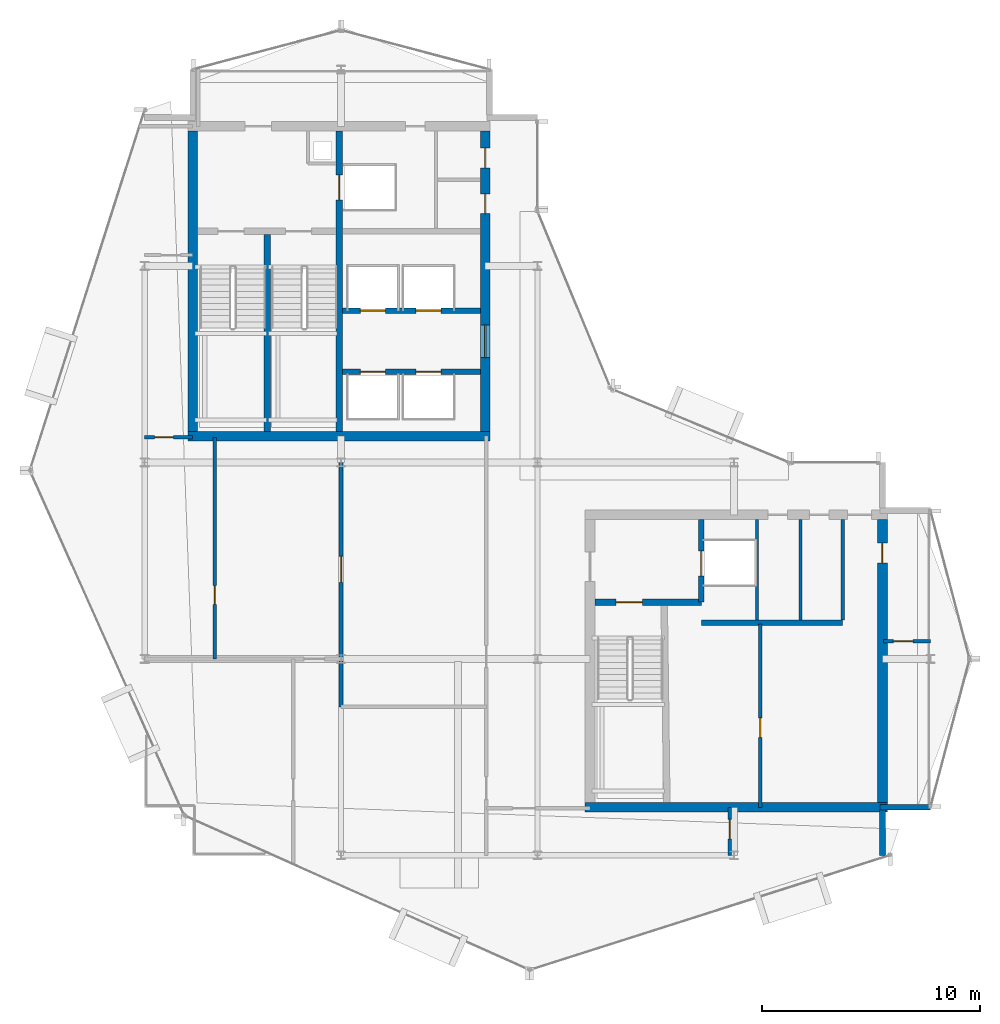
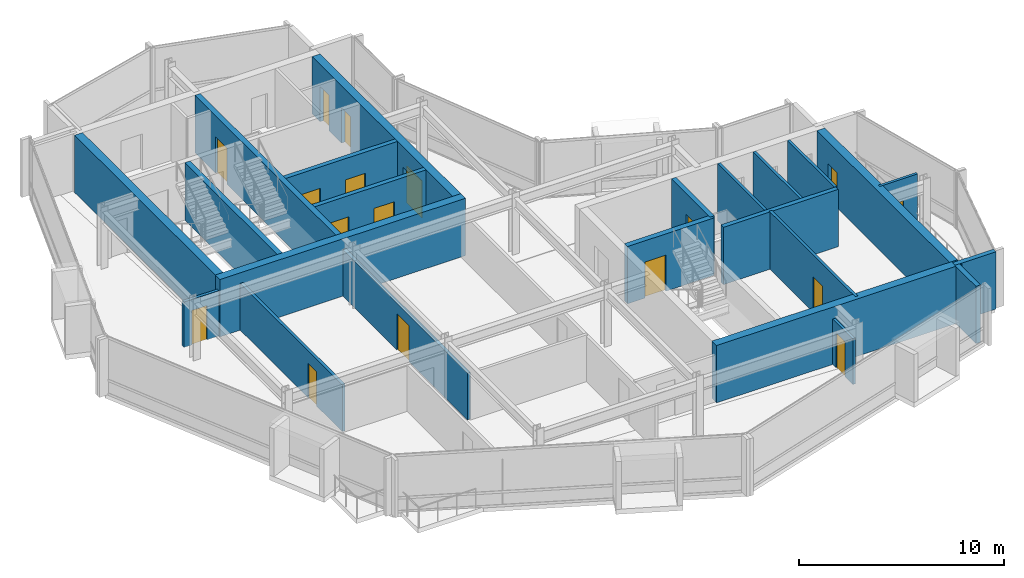
# One storey, part 14 of 19: 23 walls, 17 doors, 17 openings.
"""IFC4 building model written with IfcOpenShell, lengths in metres."""

from ifc_helpers import new_model, si_unit, direction, frame, frame_2d, origin, place, context, subcontext, project, spatial, rectangle, extrude, material, layer, layer_set, type_object, element, fill, save


model = new_model("IFC4")

# Units and contexts
model_context = context("Model", 3, precision=1e-05, world=origin(), true_north=direction((0.0, 1.0)))
body_context = subcontext(model_context, "Body", "Model", "MODEL_VIEW")
ifc_project = project(units=[si_unit("LENGTHUNIT", "METRE"), si_unit("AREAUNIT", "SQUARE_METRE"), si_unit("VOLUMEUNIT", "CUBIC_METRE"), si_unit("PLANEANGLEUNIT", "RADIAN"), si_unit("MASSUNIT", "GRAM", prefix="KILO")], contexts=[model_context])

# Site, building, storey
site_placement = place(None, origin())
site = spatial("IfcSite", under=ifc_project, at=site_placement, CompositionType="ELEMENT")
building_placement = place(site_placement, origin())
building = spatial("IfcBuilding", under=site, at=building_placement, Name="Solvaryn Broadcast Tower", CompositionType="ELEMENT")
storey_placement = place(building_placement, frame((0.0, 0.0, 263.0)))
storey = spatial("IfcBuildingStorey", under=building, at=storey_placement, Name="L66", CompositionType="ELEMENT", Elevation=263.0)

# Walls
ifc_material_1 = material(Name="Concrete f'c 70 MPa", Category="concrete")
ifc_layer_1 = layer(ifc_material_1, 0.449951171875)
ifc_layer_set_1 = layer_set([ifc_layer_1], Name="CW-SHEAR-450")
wall_type_1 = type_object("IfcWallType", Name="CW-SHEAR-450", PredefinedType="SHEAR", material=ifc_layer_set_1)
wall_1_placement = place(storey_placement, frame((10.97509765625, 28.199951171875, 0.0), z_axis=(0.0, 0.0, 1.0), x_axis=(1.0, 0.0, 0.0)))
element("IfcWall", 1, at=wall_1_placement, inside=storey, type_object=wall_type_1, Name="L66 West Core South Shear Wall", PredefinedType="SHEAR", context=body_context, shape_type="SweptSolid", body=[
    extrude(rectangle(XDim=13.849853515625, YDim=0.449951171875, at=frame_2d((6.9248046875, 0.0))), origin(), (0.0, 0.0, 1.0), 3.419921875),
])
wall_2_placement = place(storey_placement, frame((11.199951171875, 42.175048828125, 0.0), z_axis=(0.0, 0.0, 1.0), x_axis=(0.0, -1.0, 0.0)))
element("IfcWall", 2, at=wall_2_placement, inside=storey, type_object=wall_type_1, Name="L66 West Core West Shear Wall", PredefinedType="SHEAR", context=body_context, shape_type="SweptSolid", body=[
    extrude(rectangle(XDim=13.75, YDim=0.449951171875, at=frame_2d((6.875, 0.0))), origin(), (0.0, 0.0, 1.0), 3.419921875),
])

# Wall, openings, doors
wall_3_placement = place(storey_placement, frame((24.60009765625, 28.425048828125, 0.0), z_axis=(0.0, 0.0, 1.0), x_axis=(0.0, 1.0, 0.0)))
wall_3 = element("IfcWall", 3, at=wall_3_placement, inside=storey, type_object=wall_type_1, Name="L66 West Core East Shear Wall", PredefinedType="SHEAR", context=body_context, shape_type="SweptSolid", body=[
    extrude(rectangle(XDim=13.75, YDim=0.449951171875, at=frame_2d((6.875, 0.0))), origin(), (0.0, 0.0, 1.0), 3.419921875),
])
opening_1_placement = place(wall_3_placement, frame((3.375, 0.0, 0.0)))
opening_1 = element("IfcOpeningElement", 4, at=opening_1_placement, cuts=wall_3, Name="Opening FD60A", PredefinedType="OPENING", context=body_context, shape_type="SweptSolid", body=[
    extrude(rectangle(XDim=1.5, YDim=2.199951171875, at=frame_2d((0.75, 1.10009765625))), frame((0.0, 0.235107421875, 0.0), z_axis=(0.0, -1.0, 0.0), x_axis=(1.0, 0.0, 0.0)), (0.0, 0.0, 1.0), 0.469970703125),
])
opening_2_placement = place(wall_3_placement, frame((9.97509765625, 0.0, 0.0)))
opening_2 = element("IfcOpeningElement", 5, at=opening_2_placement, cuts=wall_3, Name="Opening FD60C", PredefinedType="OPENING", context=body_context, shape_type="SweptSolid", body=[
    extrude(rectangle(XDim=0.89990234375, YDim=2.10009765625, at=frame_2d((0.449951171875, 1.050048828125))), frame((0.0, 0.235107421875, 0.0), z_axis=(0.0, -1.0, 0.0), x_axis=(1.0, 0.0, 0.0)), (0.0, 0.0, 1.0), 0.469970703125),
])
opening_3_placement = place(wall_3_placement, frame((12.074951171875, 0.0, 0.0)))
opening_3 = element("IfcOpeningElement", 6, at=opening_3_placement, cuts=wall_3, Name="Opening FD60C", PredefinedType="OPENING", context=body_context, shape_type="SweptSolid", body=[
    extrude(rectangle(XDim=0.89990234375, YDim=2.10009765625, at=frame_2d((0.449951171875, 1.050048828125))), frame((0.0, 0.235107421875, 0.0), z_axis=(0.0, -1.0, 0.0), x_axis=(1.0, 0.0, 0.0)), (0.0, 0.0, 1.0), 0.469970703125),
])
ifc_material_2 = material(Name="Flush Acoustic Steel and Timber Door Assembly", Category="steel")
door_type_1 = type_object("IfcDoorType", Name="FD60-CORR-1500X2200", OperationType="NOTDEFINED", PredefinedType="DOOR", material=ifc_material_2)
door_1_placement = place(opening_1_placement, origin())
door_1 = element("IfcDoor", 7, at=door_1_placement, inside=storey, type_object=door_type_1, Name="L66 West Elevator Lobby Corridor Door", OperationType="DOUBLE_DOOR_SINGLE_SWING", OverallHeight=2.199951171875, OverallWidth=1.5, PredefinedType="DOOR", context=body_context, shape_type="SweptSolid", body=[
    extrude(rectangle(XDim=1.5, YDim=2.199951171875, at=frame_2d((0.75, 1.10009765625))), frame((0.0, 0.02490234375, 0.0), z_axis=(0.0, -1.0, 0.0), x_axis=(1.0, 0.0, 0.0)), (0.0, 0.0, 1.0), 0.050048828125),
])
fill(opening_1, door_1)
ifc_material_3 = material(Name="Flush Acoustic Steel and Timber Door Assembly", Category="steel")
door_type_2 = type_object("IfcDoorType", Name="FD60-SERV-900X2100", OperationType="NOTDEFINED", PredefinedType="DOOR", material=ifc_material_3)
door_2_placement = place(opening_2_placement, origin())
door_2 = element("IfcDoor", 8, at=door_2_placement, inside=storey, type_object=door_type_2, Name="L66 West Core Service Door 1", OperationType="SINGLE_SWING_LEFT", OverallHeight=2.10009765625, OverallWidth=0.89990234375, PredefinedType="DOOR", context=body_context, shape_type="SweptSolid", body=[
    extrude(rectangle(XDim=0.89990234375, YDim=2.10009765625, at=frame_2d((0.449951171875, 1.050048828125))), frame((0.0, 0.02490234375, 0.0), z_axis=(0.0, -1.0, 0.0), x_axis=(1.0, 0.0, 0.0)), (0.0, 0.0, 1.0), 0.050048828125),
])
fill(opening_2, door_2)
door_3_placement = place(opening_3_placement, origin())
door_3 = element("IfcDoor", 9, at=door_3_placement, inside=storey, type_object=door_type_2, Name="L66 West Core Janitor Door", OperationType="SINGLE_SWING_RIGHT", OverallHeight=2.10009765625, OverallWidth=0.89990234375, PredefinedType="DOOR", context=body_context, shape_type="SweptSolid", body=[
    extrude(rectangle(XDim=0.89990234375, YDim=2.10009765625, at=frame_2d((0.449951171875, 1.050048828125))), frame((0.0, 0.02490234375, 0.0), z_axis=(0.0, -1.0, 0.0), x_axis=(1.0, 0.0, 0.0)), (0.0, 0.0, 1.0), 0.050048828125),
])
fill(opening_3, door_3)

# Wall
wall_4_placement = place(storey_placement, frame((29.175048828125, 11.199951171875, 0.0), z_axis=(0.0, 0.0, 1.0), x_axis=(1.0, 0.0, 0.0)))
element("IfcWall", 10, at=wall_4_placement, inside=storey, type_object=wall_type_1, Name="L66 East Core South Shear Wall", PredefinedType="SHEAR", context=body_context, shape_type="SweptSolid", body=[
    extrude(rectangle(XDim=13.849853515625, YDim=0.449951171875, at=frame_2d((6.9248046875, 0.0))), origin(), (0.0, 0.0, 1.0), 3.419921875),
])

# Wall, opening, door
wall_5_placement = place(storey_placement, frame((42.800048828125, 11.425048828125, 0.0), z_axis=(0.0, 0.0, 1.0), x_axis=(0.0, 1.0, 0.0)))
wall_5 = element("IfcWall", 11, at=wall_5_placement, inside=storey, type_object=wall_type_1, Name="L66 East Core East Shear Wall", PredefinedType="SHEAR", context=body_context, shape_type="SweptSolid", body=[
    extrude(rectangle(XDim=12.949951171875, YDim=0.449951171875, at=frame_2d((6.47509765625, 0.0))), origin(), (0.0, 0.0, 1.0), 3.419921875),
])
opening_4_placement = place(wall_5_placement, frame((10.97509765625, 0.0, 0.0)))
opening_4 = element("IfcOpeningElement", 12, at=opening_4_placement, cuts=wall_5, Name="Opening FD60C", PredefinedType="OPENING", context=body_context, shape_type="SweptSolid", body=[
    extrude(rectangle(XDim=0.89990234375, YDim=2.10009765625, at=frame_2d((0.449951171875, 1.050048828125))), frame((0.0, 0.235107421875, 0.0), z_axis=(0.0, -1.0, 0.0), x_axis=(1.0, 0.0, 0.0)), (0.0, 0.0, 1.0), 0.469970703125),
])
door_4_placement = place(opening_4_placement, origin())
door_4 = element("IfcDoor", 13, at=door_4_placement, inside=storey, type_object=door_type_2, Name="L66 Upper East Studio Door", OperationType="SINGLE_SWING_RIGHT", OverallHeight=2.10009765625, OverallWidth=0.89990234375, PredefinedType="DOOR", context=body_context, shape_type="SweptSolid", body=[
    extrude(rectangle(XDim=0.89990234375, YDim=2.10009765625, at=frame_2d((0.449951171875, 1.050048828125))), frame((0.0, 0.02490234375, 0.0), z_axis=(0.0, -1.0, 0.0), x_axis=(1.0, 0.0, 0.0)), (0.0, 0.0, 1.0), 0.050048828125),
])
fill(opening_4, door_4)

# Walls
ifc_material_4 = material(Name="Concrete f'c 50 MPa", Category="concrete")
ifc_layer_2 = layer(ifc_material_4, 0.260009765625)
ifc_layer_set_2 = layer_set([ifc_layer_2], Name="EW-PIER-260")
wall_type_2 = type_object("IfcWallType", Name="EW-PIER-260", PredefinedType="SOLIDWALL", material=ifc_layer_set_2)
wall_6_placement = place(storey_placement, frame((42.800048828125, 9.0, 0.0), z_axis=(0.0, 0.0, 1.0), x_axis=(0.0, 1.0, 0.0)))
element("IfcWall", 14, at=wall_6_placement, inside=storey, type_object=wall_type_2, Name="L66 Notched Corner Pier Wall NSE1", PredefinedType="SOLIDWALL", context=body_context, shape_type="SweptSolid", body=[
    extrude(rectangle(XDim=2.080078125, YDim=0.260009765625, at=frame_2d((1.0400390625, 0.0))), origin(), (0.0, 0.0, 1.0), 3.419921875),
])
wall_7_placement = place(storey_placement, frame((42.679931640625, 11.199951171875, 0.0), z_axis=(0.0, 0.0, 1.0), x_axis=(1.0, 0.0, 0.0)))
element("IfcWall", 15, at=wall_7_placement, inside=storey, type_object=wall_type_2, Name="L66 Notched Corner Pier Wall NSE2", PredefinedType="SOLIDWALL", context=body_context, shape_type="SweptSolid", body=[
    extrude(rectangle(XDim=2.320068359375, YDim=0.260009765625, at=frame_2d((1.16015625, 0.0))), origin(), (0.0, 0.0, 1.0), 3.419921875),
])

# Wall, opening, door
ifc_material_5 = material(Name="Metal-Stud Service Core Partition")
ifc_layer_3 = layer(ifc_material_5, 0.14990234375)
ifc_layer_set_3 = layer_set([ifc_layer_3], Name="IW-PART-150")
wall_type_3 = type_object("IfcWallType", Name="IW-PART-150", PredefinedType="PARTITIONING", material=ifc_layer_set_3)
wall_8_placement = place(storey_placement, frame((37.199951171875, 11.199951171875, 0.0), z_axis=(0.0, 0.0, 1.0), x_axis=(0.0, 1.0, 0.0)))
wall_8 = element("IfcWall", 16, at=wall_8_placement, inside=storey, type_object=wall_type_3, Name="L66 Interior Partition IW-L66-RPM-V", PredefinedType="PARTITIONING", context=body_context, shape_type="SweptSolid", body=[
    extrude(rectangle(XDim=8.400146484375, YDim=0.14990234375, at=frame_2d((4.2001953125, 0.0))), origin(), (0.0, 0.0, 1.0), 3.419921875),
])
opening_5_placement = place(wall_8_placement, frame((3.199951171875, 0.0, 0.0)))
opening_5 = element("IfcOpeningElement", 17, at=opening_5_placement, cuts=wall_8, Name="Opening FD60C", PredefinedType="OPENING", context=body_context, shape_type="SweptSolid", body=[
    extrude(rectangle(XDim=0.89990234375, YDim=2.10009765625, at=frame_2d((0.449951171875, 1.050048828125))), frame((0.0, 0.0849609375, 0.0), z_axis=(0.0, -1.0, 0.0), x_axis=(1.0, 0.0, 0.0)), (0.0, 0.0, 1.0), 0.169921875),
])
door_5_placement = place(opening_5_placement, origin())
door_5 = element("IfcDoor", 18, at=door_5_placement, inside=storey, type_object=door_type_2, Name="L66 Door DR-L66-RPM1", OperationType="SINGLE_SWING_LEFT", OverallHeight=2.10009765625, OverallWidth=0.89990234375, PredefinedType="DOOR", context=body_context, shape_type="SweptSolid", body=[
    extrude(rectangle(XDim=0.89990234375, YDim=2.10009765625, at=frame_2d((0.449951171875, 1.050048828125))), frame((0.0, 0.02490234375, 0.0), z_axis=(0.0, -1.0, 0.0), x_axis=(1.0, 0.0, 0.0)), (0.0, 0.0, 1.0), 0.050048828125),
])
fill(opening_5, door_5)

# Walls
for number, where, z_axis, x_axis, name in (
    (19, (37.050048828125, 19.780029296875, 0.0), (0.0, 0.0, 1.0), (0.0, 1.0, 0.0), "L66 Interior Partition IW-L66-CE-FL2E"),
    (20, (39.050048828125, 19.780029296875, 0.0), (0.0, 0.0, 1.0), (0.0, 1.0, 0.0), "L66 Interior Partition IW-L66-CE-V1"),
    (21, (40.97998046875, 19.780029296875, 0.0), (0.0, 0.0, 1.0), (0.0, 1.0, 0.0), "L66 Interior Partition IW-L66-CE-V3"),
):
    element("IfcWall", number, at=place(storey_placement, frame(where, z_axis=z_axis, x_axis=x_axis)), inside=storey, type_object=wall_type_3, Name=name, PredefinedType="PARTITIONING", context=body_context, shape_type="SweptSolid", body=[
        extrude(rectangle(XDim=4.594970703125, YDim=0.14990234375, at=frame_2d((2.29736328125, 0.0))), origin(), (0.0, 0.0, 1.0), 3.419921875),
    ])

# Wall, opening, door
wall_9_placement = place(storey_placement, frame((35.800048828125, 9.0, 0.0), z_axis=(0.0, 0.0, 1.0), x_axis=(0.0, 1.0, 0.0)))
wall_9 = element("IfcWall", 22, at=wall_9_placement, inside=storey, type_object=wall_type_3, Name="L66 Interior Partition IW-L66-SC-V", PredefinedType="PARTITIONING", context=body_context, shape_type="SweptSolid", body=[
    extrude(rectangle(XDim=2.199951171875, YDim=0.14990234375, at=frame_2d((1.10009765625, 0.0))), origin(), (0.0, 0.0, 1.0), 2.70703125),
])
opening_6_placement = place(wall_9_placement, frame((0.75, 0.0, 0.0)))
opening_6 = element("IfcOpeningElement", 23, at=opening_6_placement, cuts=wall_9, Name="Opening FD60C", PredefinedType="OPENING", context=body_context, shape_type="SweptSolid", body=[
    extrude(rectangle(XDim=0.89990234375, YDim=2.10009765625, at=frame_2d((0.449951171875, 1.050048828125))), frame((0.0, 0.0849609375, 0.0), z_axis=(0.0, -1.0, 0.0), x_axis=(1.0, 0.0, 0.0)), (0.0, 0.0, 1.0), 0.169921875),
])
door_6_placement = place(opening_6_placement, origin())
door_6 = element("IfcDoor", 24, at=door_6_placement, inside=storey, type_object=door_type_2, Name="L66 Door DR-L66-SC1", OperationType="SINGLE_SWING_LEFT", OverallHeight=2.10009765625, OverallWidth=0.89990234375, PredefinedType="DOOR", context=body_context, shape_type="SweptSolid", body=[
    extrude(rectangle(XDim=0.89990234375, YDim=2.10009765625, at=frame_2d((0.449951171875, 1.050048828125))), frame((0.0, 0.02490234375, 0.0), z_axis=(0.0, -1.0, 0.0), x_axis=(1.0, 0.0, 0.0)), (0.0, 0.0, 1.0), 0.050048828125),
])
fill(opening_6, door_6)

wall_10_placement = place(storey_placement, frame((42.85009765625, 18.800048828125, 0.0), z_axis=(0.0, 0.0, 1.0), x_axis=(1.0, 0.0, 0.0)))
wall_10 = element("IfcWall", 25, at=wall_10_placement, inside=storey, type_object=wall_type_3, Name="L66 Interior Partition IW-L66-E4M", PredefinedType="PARTITIONING", context=body_context, shape_type="SweptSolid", body=[
    extrude(rectangle(XDim=2.14990234375, YDim=0.14990234375, at=frame_2d((1.074951171875, 0.0))), origin(), (0.0, 0.0, 1.0), 3.419921875),
])
opening_7_placement = place(wall_10_placement, frame((0.449951171875, 0.0, 0.0)))
opening_7 = element("IfcOpeningElement", 26, at=opening_7_placement, cuts=wall_10, Name="Opening FD60C", PredefinedType="OPENING", context=body_context, shape_type="SweptSolid", body=[
    extrude(rectangle(XDim=0.89990234375, YDim=2.10009765625, at=frame_2d((0.449951171875, 1.050048828125))), frame((0.0, 0.0849609375, 0.0), z_axis=(0.0, -1.0, 0.0), x_axis=(1.0, 0.0, 0.0)), (0.0, 0.0, 1.0), 0.169921875),
])
door_7_placement = place(opening_7_placement, origin())
door_7 = element("IfcDoor", 27, at=door_7_placement, inside=storey, type_object=door_type_2, Name="L66 Door DR-L66-E4M", OperationType="SINGLE_SWING_RIGHT", OverallHeight=2.10009765625, OverallWidth=0.89990234375, PredefinedType="DOOR", context=body_context, shape_type="SweptSolid", body=[
    extrude(rectangle(XDim=0.89990234375, YDim=2.10009765625, at=frame_2d((0.449951171875, 1.050048828125))), frame((0.0, 0.02490234375, 0.0), z_axis=(0.0, -1.0, 0.0), x_axis=(1.0, 0.0, 0.0)), (0.0, 0.0, 1.0), 0.050048828125),
])
fill(opening_7, door_7)

ifc_material_6 = material(Name="Metal-Stud Gypsum Office Partition")
ifc_layer_4 = layer(ifc_material_6, 0.159912109375)
ifc_layer_set_4 = layer_set([ifc_layer_4], Name="IW-PART-160")
wall_type_4 = type_object("IfcWallType", Name="IW-PART-160", PredefinedType="PARTITIONING", material=ifc_layer_set_4)
wall_11_placement = place(storey_placement, frame((9.0, 28.14990234375, 0.0), z_axis=(0.0, 0.0, 1.0), x_axis=(1.0, 0.0, 0.0)))
wall_11 = element("IfcWall", 28, at=wall_11_placement, inside=storey, type_object=wall_type_4, Name="L66 Interior Partition IW-L66-WM-S", PredefinedType="PARTITIONING", context=body_context, shape_type="SweptSolid", body=[
    extrude(rectangle(XDim=2.199951171875, YDim=0.159912109375, at=frame_2d((1.10009765625, 0.0))), origin(), (0.0, 0.0, 1.0), 2.70703125),
])
opening_8_placement = place(wall_11_placement, frame((0.449951171875, 0.0, 0.0)))
opening_8 = element("IfcOpeningElement", 29, at=opening_8_placement, cuts=wall_11, Name="Opening ID07", PredefinedType="OPENING", context=body_context, shape_type="SweptSolid", body=[
    extrude(rectangle(XDim=0.860107421875, YDim=2.050048828125, at=frame_2d((0.43017578125, 1.02490234375))), frame((0.0, 0.090087890625, 0.0), z_axis=(0.0, -1.0, 0.0), x_axis=(1.0, 0.0, 0.0)), (0.0, 0.0, 1.0), 0.179931640625),
])
ifc_material_7 = material(Name="Flush Acoustic Steel and Timber Door Assembly", Category="steel")
door_type_3 = type_object("IfcDoorType", Name="ID-07-860X2050", OperationType="NOTDEFINED", PredefinedType="DOOR", material=ifc_material_7)
door_8_placement = place(opening_8_placement, origin())
door_8 = element("IfcDoor", 30, at=door_8_placement, inside=storey, type_object=door_type_3, Name="L66 Door DR-L66-WM0", OperationType="SINGLE_SWING_RIGHT", OverallHeight=2.050048828125, OverallWidth=0.860107421875, PredefinedType="DOOR", context=body_context, shape_type="SweptSolid", body=[
    extrude(rectangle(XDim=0.860107421875, YDim=2.050048828125, at=frame_2d((0.43017578125, 1.02490234375))), frame((0.0, 0.02490234375, 0.0), z_axis=(0.0, -1.0, 0.0), x_axis=(1.0, 0.0, 0.0)), (0.0, 0.0, 1.0), 0.050048828125),
])
fill(opening_8, door_8)

wall_12_placement = place(storey_placement, frame((12.199951171875, 18.0, 0.0), z_axis=(0.0, 0.0, 1.0), x_axis=(0.0, 1.0, 0.0)))
wall_12 = element("IfcWall", 31, at=wall_12_placement, inside=storey, type_object=wall_type_4, Name="L66 Interior Partition IW-L66-SW-NWV", PredefinedType="PARTITIONING", context=body_context, shape_type="SweptSolid", body=[
    extrude(rectangle(XDim=10.1298828125, YDim=0.159912109375, at=frame_2d((5.06494140625, 0.0))), origin(), (0.0, 0.0, 1.0), 2.7890625),
])
opening_9_placement = place(wall_12_placement, frame((2.5, 0.0, 0.0)))
opening_9 = element("IfcOpeningElement", 32, at=opening_9_placement, cuts=wall_12, Name="Opening ID07", PredefinedType="OPENING", context=body_context, shape_type="SweptSolid", body=[
    extrude(rectangle(XDim=0.860107421875, YDim=2.050048828125, at=frame_2d((0.43017578125, 1.02490234375))), frame((0.0, 0.090087890625, 0.0), z_axis=(0.0, -1.0, 0.0), x_axis=(1.0, 0.0, 0.0)), (0.0, 0.0, 1.0), 0.179931640625),
])
door_9_placement = place(opening_9_placement, origin())
door_9 = element("IfcDoor", 33, at=door_9_placement, inside=storey, type_object=door_type_3, Name="L66 Door DR-L66-SWL-NW", OperationType="SINGLE_SWING_LEFT", OverallHeight=2.050048828125, OverallWidth=0.860107421875, PredefinedType="DOOR", context=body_context, shape_type="SweptSolid", body=[
    extrude(rectangle(XDim=0.860107421875, YDim=2.050048828125, at=frame_2d((0.43017578125, 1.02490234375))), frame((0.0, 0.02490234375, 0.0), z_axis=(0.0, -1.0, 0.0), x_axis=(1.0, 0.0, 0.0)), (0.0, 0.0, 1.0), 0.050048828125),
])
fill(opening_9, door_9)

ifc_material_8 = material(Name="Acoustic Metal-Stud Gypsum Partition")
ifc_layer_5 = layer(ifc_material_8, 0.179931640625)
ifc_layer_set_5 = layer_set([ifc_layer_5], Name="IW-PART-180")
wall_type_5 = type_object("IfcWallType", Name="IW-PART-180", PredefinedType="PARTITIONING", material=ifc_layer_set_5)
wall_13_placement = place(storey_placement, frame((18.0, 15.800048828125, 0.0), z_axis=(0.0, 0.0, 1.0), x_axis=(0.0, 1.0, 0.0)))
wall_13 = element("IfcWall", 34, at=wall_13_placement, inside=storey, type_object=wall_type_5, Name="L66 Interior Partition IW-L66-SW-LV", PredefinedType="PARTITIONING", context=body_context, shape_type="SweptSolid", body=[
    extrude(rectangle(XDim=12.329833984375, YDim=0.179931640625, at=frame_2d((6.1650390625, 0.0))), origin(), (0.0, 0.0, 1.0), 2.7890625),
])
opening_10_placement = place(wall_13_placement, frame((5.699951171875, 0.0, 0.0)))
opening_10 = element("IfcOpeningElement", 35, at=opening_10_placement, cuts=wall_13, Name="Opening ID04", PredefinedType="OPENING", context=body_context, shape_type="SweptSolid", body=[
    extrude(rectangle(XDim=1.199951171875, YDim=2.14990234375, at=frame_2d((0.60009765625, 1.074951171875))), frame((0.0, 0.099853515625, 0.0), z_axis=(0.0, -1.0, 0.0), x_axis=(1.0, 0.0, 0.0)), (0.0, 0.0, 1.0), 0.199951171875),
])
ifc_material_9 = material(Name="Flush Acoustic Steel and Timber Door Assembly", Category="steel")
door_type_4 = type_object("IfcDoorType", Name="ID-04-1200X2150", OperationType="NOTDEFINED", PredefinedType="DOOR", material=ifc_material_9)
door_10_placement = place(opening_10_placement, origin())
door_10 = element("IfcDoor", 36, at=door_10_placement, inside=storey, type_object=door_type_4, Name="L66 Door DR-L66-SWL-LV", OperationType="SINGLE_SWING_RIGHT", OverallHeight=2.14990234375, OverallWidth=1.199951171875, PredefinedType="DOOR", context=body_context, shape_type="SweptSolid", body=[
    extrude(rectangle(XDim=1.199951171875, YDim=2.14990234375, at=frame_2d((0.60009765625, 1.074951171875))), frame((0.0, 0.02490234375, 0.0), z_axis=(0.0, -1.0, 0.0), x_axis=(1.0, 0.0, 0.0)), (0.0, 0.0, 1.0), 0.050048828125),
])
fill(opening_10, door_10)

# Wall, openings, doors
ifc_material_10 = material(Name="Concrete f'c 60 MPa", Category="concrete")
ifc_layer_6 = layer(ifc_material_10, 0.25)
ifc_layer_set_6 = layer_set([ifc_layer_6], Name="SW-SHAFT-250")
wall_type_6 = type_object("IfcWallType", Name="SW-SHAFT-250", PredefinedType="PARTITIONING", material=ifc_layer_set_6)
wall_14_placement = place(storey_placement, frame((18.070068359375, 31.14990234375, 0.0), z_axis=(0.0, 0.0, 1.0), x_axis=(1.0, 0.0, 0.0)))
wall_14 = element("IfcWall", 37, at=wall_14_placement, inside=storey, type_object=wall_type_6, Name="L66 High-Rise Lift Bank South Wall", PredefinedType="PARTITIONING", context=body_context, shape_type="SweptSolid", body=[
    extrude(rectangle(XDim=6.304931640625, YDim=0.25, at=frame_2d((3.15234375, 0.0))), origin(), (0.0, 0.0, 1.0), 3.419921875),
])
opening_11_placement = place(wall_14_placement, frame((0.804931640625, 0.0, 0.0)))
opening_11 = element("IfcOpeningElement", 38, at=opening_11_placement, cuts=wall_14, Name="Opening LD01", PredefinedType="OPENING", context=body_context, shape_type="SweptSolid", body=[
    extrude(rectangle(XDim=1.14990234375, YDim=2.14990234375, at=frame_2d((0.574951171875, 1.074951171875))), frame((0.0, 0.135009765625, 0.0), z_axis=(0.0, -1.0, 0.0), x_axis=(1.0, 0.0, 0.0)), (0.0, 0.0, 1.0), 0.27001953125),
])
opening_12_placement = place(wall_14_placement, frame((3.35498046875, 0.0, 0.0)))
opening_12 = element("IfcOpeningElement", 39, at=opening_12_placement, cuts=wall_14, Name="Opening LD01", PredefinedType="OPENING", context=body_context, shape_type="SweptSolid", body=[
    extrude(rectangle(XDim=1.14990234375, YDim=2.14990234375, at=frame_2d((0.574951171875, 1.074951171875))), frame((0.0, 0.135009765625, 0.0), z_axis=(0.0, -1.0, 0.0), x_axis=(1.0, 0.0, 0.0)), (0.0, 0.0, 1.0), 0.27001953125),
])
ifc_material_11 = material(Name="Flush Acoustic Steel and Timber Door Assembly", Category="steel")
door_type_5 = type_object("IfcDoorType", Name="LD-LIFT-1150X2150", OperationType="NOTDEFINED", PredefinedType="DOOR", material=ifc_material_11)
door_11_placement = place(opening_11_placement, origin())
door_11 = element("IfcDoor", 40, at=door_11_placement, inside=storey, type_object=door_type_5, Name="L66 PH1 Lift Landing Door", OperationType="DOUBLE_DOOR_SLIDING", OverallHeight=2.14990234375, OverallWidth=1.14990234375, PredefinedType="DOOR", context=body_context, shape_type="SweptSolid", body=[
    extrude(rectangle(XDim=1.14990234375, YDim=2.14990234375, at=frame_2d((0.574951171875, 1.074951171875))), frame((0.0, 0.02490234375, 0.0), z_axis=(0.0, -1.0, 0.0), x_axis=(1.0, 0.0, 0.0)), (0.0, 0.0, 1.0), 0.050048828125),
])
fill(opening_11, door_11)
door_12_placement = place(opening_12_placement, origin())
door_12 = element("IfcDoor", 41, at=door_12_placement, inside=storey, type_object=door_type_5, Name="L66 PH2 Lift Landing Door", OperationType="DOUBLE_DOOR_SLIDING", OverallHeight=2.14990234375, OverallWidth=1.14990234375, PredefinedType="DOOR", context=body_context, shape_type="SweptSolid", body=[
    extrude(rectangle(XDim=1.14990234375, YDim=2.14990234375, at=frame_2d((0.574951171875, 1.074951171875))), frame((0.0, 0.02490234375, 0.0), z_axis=(0.0, -1.0, 0.0), x_axis=(1.0, 0.0, 0.0)), (0.0, 0.0, 1.0), 0.050048828125),
])
fill(opening_12, door_12)

wall_15_placement = place(storey_placement, frame((24.375, 33.949951171875, 0.0), z_axis=(0.0, 0.0, 1.0), x_axis=(-1.0, 0.0, 0.0)))
wall_15 = element("IfcWall", 42, at=wall_15_placement, inside=storey, type_object=wall_type_6, Name="L66 High-Rise Lift Bank North Wall", PredefinedType="PARTITIONING", context=body_context, shape_type="SweptSolid", body=[
    extrude(rectangle(XDim=6.304931640625, YDim=0.25, at=frame_2d((3.15234375, 0.0))), origin(), (0.0, 0.0, 1.0), 3.419921875),
])
opening_13_placement = place(wall_15_placement, frame((4.35009765625, 0.0, 0.0)))
opening_13 = element("IfcOpeningElement", 43, at=opening_13_placement, cuts=wall_15, Name="Opening LD01", PredefinedType="OPENING", context=body_context, shape_type="SweptSolid", body=[
    extrude(rectangle(XDim=1.14990234375, YDim=2.14990234375, at=frame_2d((0.574951171875, 1.074951171875))), frame((0.0, 0.135009765625, 0.0), z_axis=(0.0, -1.0, 0.0), x_axis=(1.0, 0.0, 0.0)), (0.0, 0.0, 1.0), 0.27001953125),
])
opening_14_placement = place(wall_15_placement, frame((1.800048828125, 0.0, 0.0)))
opening_14 = element("IfcOpeningElement", 44, at=opening_14_placement, cuts=wall_15, Name="Opening LD01", PredefinedType="OPENING", context=body_context, shape_type="SweptSolid", body=[
    extrude(rectangle(XDim=1.14990234375, YDim=2.14990234375, at=frame_2d((0.574951171875, 1.074951171875))), frame((0.0, 0.135009765625, 0.0), z_axis=(0.0, -1.0, 0.0), x_axis=(1.0, 0.0, 0.0)), (0.0, 0.0, 1.0), 0.27001953125),
])
door_13_placement = place(opening_13_placement, origin())
door_13 = element("IfcDoor", 45, at=door_13_placement, inside=storey, type_object=door_type_5, Name="L66 PH3 Lift Landing Door", OperationType="DOUBLE_DOOR_SLIDING", OverallHeight=2.14990234375, OverallWidth=1.14990234375, PredefinedType="DOOR", context=body_context, shape_type="SweptSolid", body=[
    extrude(rectangle(XDim=1.14990234375, YDim=2.14990234375, at=frame_2d((0.574951171875, 1.074951171875))), frame((0.0, 0.02490234375, 0.0), z_axis=(0.0, -1.0, 0.0), x_axis=(1.0, 0.0, 0.0)), (0.0, 0.0, 1.0), 0.050048828125),
])
fill(opening_13, door_13)
door_14_placement = place(opening_14_placement, origin())
door_14 = element("IfcDoor", 46, at=door_14_placement, inside=storey, type_object=door_type_5, Name="L66 PH4 Lift Landing Door", OperationType="DOUBLE_DOOR_SLIDING", OverallHeight=2.14990234375, OverallWidth=1.14990234375, PredefinedType="DOOR", context=body_context, shape_type="SweptSolid", body=[
    extrude(rectangle(XDim=1.14990234375, YDim=2.14990234375, at=frame_2d((0.574951171875, 1.074951171875))), frame((0.0, 0.02490234375, 0.0), z_axis=(0.0, -1.0, 0.0), x_axis=(1.0, 0.0, 0.0)), (0.0, 0.0, 1.0), 0.050048828125),
])
fill(opening_14, door_14)

# Wall, opening, door
wall_16_placement = place(storey_placement, frame((34.5, 20.60009765625, 0.0), z_axis=(0.0, 0.0, 1.0), x_axis=(0.0, 1.0, 0.0)))
wall_16 = element("IfcWall", 47, at=wall_16_placement, inside=storey, type_object=wall_type_6, Name="L66 East FSAE Lobby East Wall", PredefinedType="PARTITIONING", context=body_context, shape_type="SweptSolid", body=[
    extrude(rectangle(XDim=3.77490234375, YDim=0.25, at=frame_2d((1.887451171875, 0.0))), origin(), (0.0, 0.0, 1.0), 3.419921875),
])
opening_15_placement = place(wall_16_placement, frame((1.199951171875, 0.0, 0.0)))
opening_15 = element("IfcOpeningElement", 48, at=opening_15_placement, cuts=wall_16, Name="Opening LD01", PredefinedType="OPENING", context=body_context, shape_type="SweptSolid", body=[
    extrude(rectangle(XDim=1.14990234375, YDim=2.14990234375, at=frame_2d((0.574951171875, 1.074951171875))), frame((0.0, 0.135009765625, 0.0), z_axis=(0.0, -1.0, 0.0), x_axis=(1.0, 0.0, 0.0)), (0.0, 0.0, 1.0), 0.27001953125),
])
door_15_placement = place(opening_15_placement, origin())
door_15 = element("IfcDoor", 49, at=door_15_placement, inside=storey, type_object=door_type_5, Name="L66 FL2 Lift Landing Door", OperationType="DOUBLE_DOOR_SLIDING", OverallHeight=2.14990234375, OverallWidth=1.14990234375, PredefinedType="DOOR", context=body_context, shape_type="SweptSolid", body=[
    extrude(rectangle(XDim=1.14990234375, YDim=2.14990234375, at=frame_2d((0.574951171875, 1.074951171875))), frame((0.0, 0.02490234375, 0.0), z_axis=(0.0, -1.0, 0.0), x_axis=(1.0, 0.0, 0.0)), (0.0, 0.0, 1.0), 0.050048828125),
])
fill(opening_15, door_15)

# Walls
wall_17_placement = place(storey_placement, frame((34.5, 19.64990234375, 0.0), z_axis=(0.0, 0.0, 1.0), x_axis=(1.0, 0.0, 0.0)))
element("IfcWall", 50, at=wall_17_placement, inside=storey, type_object=wall_type_6, Name="L66 East Core Restroom South Wall", PredefinedType="PARTITIONING", context=body_context, shape_type="SweptSolid", body=[
    extrude(rectangle(XDim=6.47998046875, YDim=0.25, at=frame_2d((3.239990234375, 0.0))), origin(), (0.0, 0.0, 1.0), 3.419921875),
])
ifc_material_12 = material(Name="Concrete f'c 70 MPa", Category="concrete")
ifc_layer_7 = layer(ifc_material_12, 0.300048828125)
ifc_layer_set_7 = layer_set([ifc_layer_7], Name="SW-SHAFT-300")
wall_type_7 = type_object("IfcWallType", Name="SW-SHAFT-300", PredefinedType="SHEAR", material=ifc_layer_set_7)
wall_18_placement = place(storey_placement, frame((14.6201171875, 28.425048828125, 0.0), z_axis=(0.0, 0.0, 1.0), x_axis=(0.0, 1.0, 0.0)))
element("IfcWall", 51, at=wall_18_placement, inside=storey, type_object=wall_type_7, Name="L66 Stair 1-2 Dividing Wall", PredefinedType="SHEAR", context=body_context, shape_type="SweptSolid", body=[
    extrude(rectangle(XDim=9.02490234375, YDim=0.300048828125, at=frame_2d((4.512451171875, 0.0))), origin(), (0.0, 0.0, 1.0), 3.419921875),
])

# Wall, opening, door
wall_19_placement = place(storey_placement, frame((17.919921875, 42.175048828125, 0.0), z_axis=(0.0, 0.0, 1.0), x_axis=(0.0, -1.0, 0.0)))
wall_19 = element("IfcWall", 52, at=wall_19_placement, inside=storey, type_object=wall_type_7, Name="L66 West Core Stair-Lobby Shear Wall", PredefinedType="SHEAR", context=body_context, shape_type="SweptSolid", body=[
    extrude(rectangle(XDim=13.75, YDim=0.300048828125, at=frame_2d((6.875, 0.0))), origin(), (0.0, 0.0, 1.0), 3.419921875),
])
opening_16_placement = place(wall_19_placement, frame((2.0, 0.0, 0.0)))
opening_16 = element("IfcOpeningElement", 53, at=opening_16_placement, cuts=wall_19, Name="Opening LD01", PredefinedType="OPENING", context=body_context, shape_type="SweptSolid", body=[
    extrude(rectangle(XDim=1.14990234375, YDim=2.14990234375, at=frame_2d((0.574951171875, 1.074951171875))), frame((0.0, 0.159912109375, 0.0), z_axis=(0.0, -1.0, 0.0), x_axis=(1.0, 0.0, 0.0)), (0.0, 0.0, 1.0), 0.320068359375),
])
door_16_placement = place(opening_16_placement, origin())
door_16 = element("IfcDoor", 54, at=door_16_placement, inside=storey, type_object=door_type_5, Name="L66 FL1 Lift Landing Door", OperationType="DOUBLE_DOOR_SLIDING", OverallHeight=2.14990234375, OverallWidth=1.14990234375, PredefinedType="DOOR", context=body_context, shape_type="SweptSolid", body=[
    extrude(rectangle(XDim=1.14990234375, YDim=2.14990234375, at=frame_2d((0.574951171875, 1.074951171875))), frame((0.0, 0.02490234375, 0.0), z_axis=(0.0, -1.0, 0.0), x_axis=(1.0, 0.0, 0.0)), (0.0, 0.0, 1.0), 0.050048828125),
])
fill(opening_16, door_16)

wall_20_placement = place(storey_placement, frame((34.5, 20.60009765625, 0.0), z_axis=(0.0, 0.0, 1.0), x_axis=(-1.0, 0.0, 0.0)))
wall_20 = element("IfcWall", 55, at=wall_20_placement, inside=storey, type_object=wall_type_7, Name="L66 East FSAE Lobby South Wall", PredefinedType="SHEAR", context=body_context, shape_type="SweptSolid", body=[
    extrude(rectangle(XDim=4.875, YDim=0.300048828125, at=frame_2d((2.4375, 0.0))), origin(), (0.0, 0.0, 1.0), 3.419921875),
])
opening_17_placement = place(wall_20_placement, frame((2.699951171875, 0.0, 0.0)))
opening_17 = element("IfcOpeningElement", 56, at=opening_17_placement, cuts=wall_20, Name="Opening FD90A", PredefinedType="OPENING", context=body_context, shape_type="SweptSolid", body=[
    extrude(rectangle(XDim=1.199951171875, YDim=2.14990234375, at=frame_2d((0.60009765625, 1.074951171875))), frame((0.0, 0.159912109375, 0.0), z_axis=(0.0, -1.0, 0.0), x_axis=(1.0, 0.0, 0.0)), (0.0, 0.0, 1.0), 0.320068359375),
])
ifc_material_13 = material(Name="Flush Acoustic Steel and Timber Door Assembly", Category="steel")
door_type_6 = type_object("IfcDoorType", Name="FD90-STAIR-1200X2150", OperationType="NOTDEFINED", PredefinedType="DOOR", material=ifc_material_13)
door_17_placement = place(opening_17_placement, origin())
door_17 = element("IfcDoor", 57, at=door_17_placement, inside=storey, type_object=door_type_6, Name="L66 Stair 3 Fire Door", OperationType="SINGLE_SWING_LEFT", OverallHeight=2.14990234375, OverallWidth=1.199951171875, PredefinedType="DOOR", context=body_context, shape_type="SweptSolid", body=[
    extrude(rectangle(XDim=1.199951171875, YDim=2.14990234375, at=frame_2d((0.60009765625, 1.074951171875))), frame((0.0, 0.02490234375, 0.0), z_axis=(0.0, -1.0, 0.0), x_axis=(1.0, 0.0, 0.0)), (0.0, 0.0, 1.0), 0.050048828125),
])
fill(opening_17, door_17)

save(model, "model.ifc")
